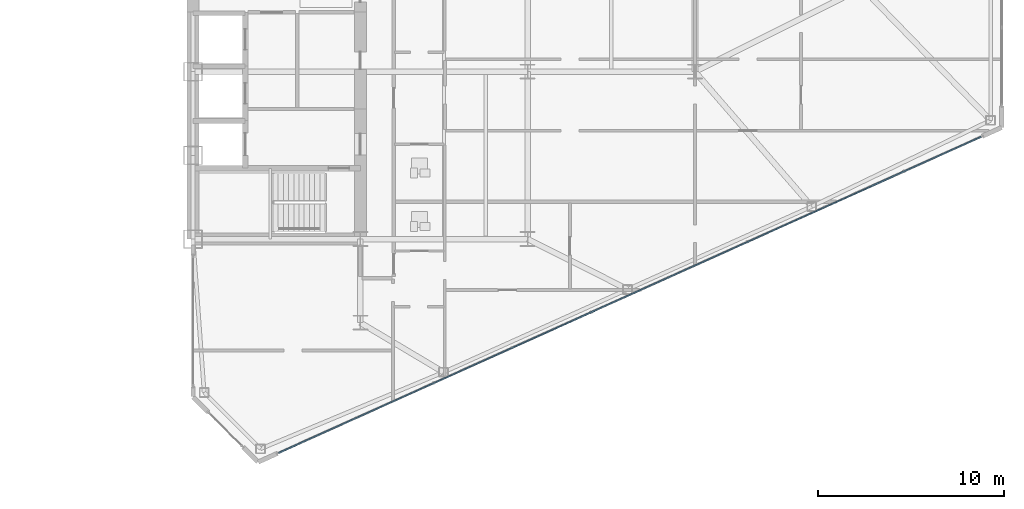
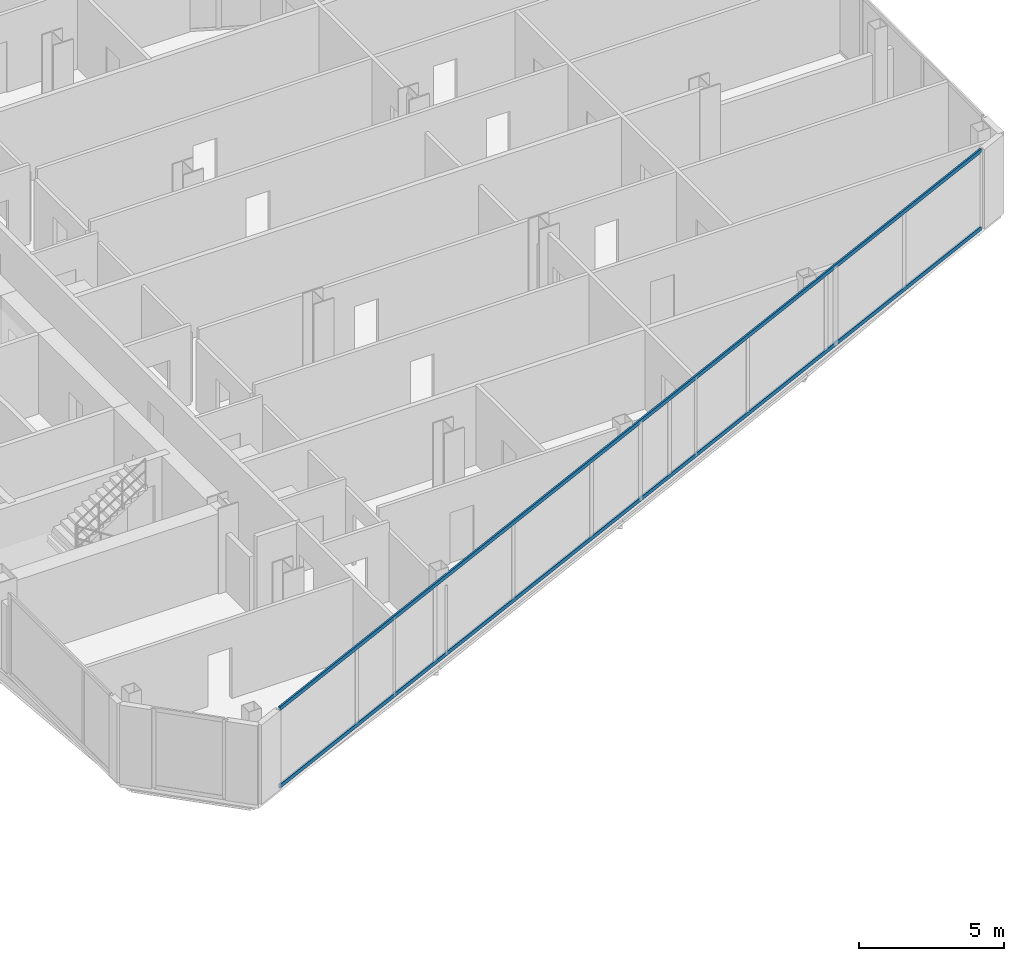
# One storey, part 11 of 27: 2 members, 1 element without a shape of its own.
"""IFC4 building model written with IfcOpenShell, lengths in metres."""

from ifc_helpers import new_model, si_unit, direction, frame, origin, origin_2d, place, context, subcontext, project, spatial, rectangle, extrude, source, transform, mapped, material, layer, layer_set, material_profile, profile_set, type_object, type_shapes, element, aggregate, save


model = new_model("IFC4")

# Units and contexts
model_context = context("Model", 3, precision=1e-05, world=origin(), true_north=direction((0.0, 1.0)))
body_context = subcontext(model_context, "Body", "Model", "MODEL_VIEW")
ifc_project = project(units=[si_unit("LENGTHUNIT", "METRE"), si_unit("AREAUNIT", "SQUARE_METRE"), si_unit("VOLUMEUNIT", "CUBIC_METRE"), si_unit("PLANEANGLEUNIT", "RADIAN"), si_unit("MASSUNIT", "GRAM", prefix="KILO")], contexts=[model_context])

# Site, building, storey
site_placement = place(None, origin())
site = spatial("IfcSite", under=ifc_project, at=site_placement, CompositionType="ELEMENT")
building_placement = place(site_placement, origin())
building = spatial("IfcBuilding", under=site, at=building_placement, Name="Seokmaru Belvedere", CompositionType="ELEMENT")
storey_placement = place(building_placement, frame((0.0, 0.0, 83.699951171875)))
storey = spatial("IfcBuildingStorey", under=building, at=storey_placement, Name="L22", CompositionType="ELEMENT", Elevation=83.699951171875)

# Curtain wall, members
ifc_material_1 = material(Name="Bronze Triple Insulating Glass", Category="glass")
ifc_layer = layer(ifc_material_1, 0.195068359375)
ifc_layer_set = layer_set([ifc_layer], Name="Bronze Triple Insulating Glass")
curtain_wall_type = type_object("IfcCurtainWallType", Name="Lower-Mid Tapered Curtain Wall System CW-3", PredefinedType="NOTDEFINED", material=ifc_layer_set)
curtain_wall_placement = place(storey_placement, origin())
curtain_wall = element("IfcCurtainWall", 1, at=curtain_wall_placement, inside=storey, type_object=curtain_wall_type, Name="L22 Curtain Wall EF1", PredefinedType="NOTDEFINED")
ifc_material_2 = material(Name="Anodised Bronze Aluminium", Category="aluminium")
ifc_material_profile = material_profile(ifc_material_2, rectangle(XDim=0.070068359375, YDim=0.1650390625, at=origin_2d()), Name="CW-T-70x165")
ifc_profile_set = profile_set([ifc_material_profile], Name="Anodised Bronze Aluminium")
member_type = type_object("IfcMemberType", Name="Bronze Unitised Transom 70x165", PredefinedType="USERDEFINED", material=ifc_profile_set)
shared_shape = source(origin(), body_context, "Body", "SweptSolid", [
    extrude(rectangle(XDim=0.070068359375, YDim=0.1650390625, at=origin_2d()), origin(), (0.0, 0.0, 1.0), 41.423583984375),
])
type_shapes(member_type, [shared_shape])
member_1_placement = place(storey_placement, frame((32.112548828125, -24.99951171875, 0.03515625), z_axis=(0.911918637916, 0.410371048956, 0.0), x_axis=(-0.410371048956, 0.911918637916, 0.0)))
member_1 = element("IfcMember", 2, at=member_1_placement, type_object=member_type, Name="CW:L22:EF1 Continuous Transom 1", ObjectType="TRANSOM", PredefinedType="USERDEFINED", context=body_context, shape_type="MappedRepresentation", body=[
    mapped(shared_shape, transform((0.0, 0.0, 0.0), scale=1.0)),
])
member_2_placement = place(storey_placement, frame((32.112548828125, -24.99951171875, 3.304931640625), z_axis=(0.911918637916, 0.410371048956, 0.0), x_axis=(-0.410371048956, 0.911918637916, 0.0)))
member_2 = element("IfcMember", 3, at=member_2_placement, type_object=member_type, Name="CW:L22:EF1 Continuous Transom 2", ObjectType="TRANSOM", PredefinedType="USERDEFINED", context=body_context, shape_type="MappedRepresentation", body=[
    mapped(shared_shape, transform((0.0, 0.0, 0.0), scale=1.0)),
])
aggregate(curtain_wall, [member_1, member_2])

save(model, "model.ifc")
